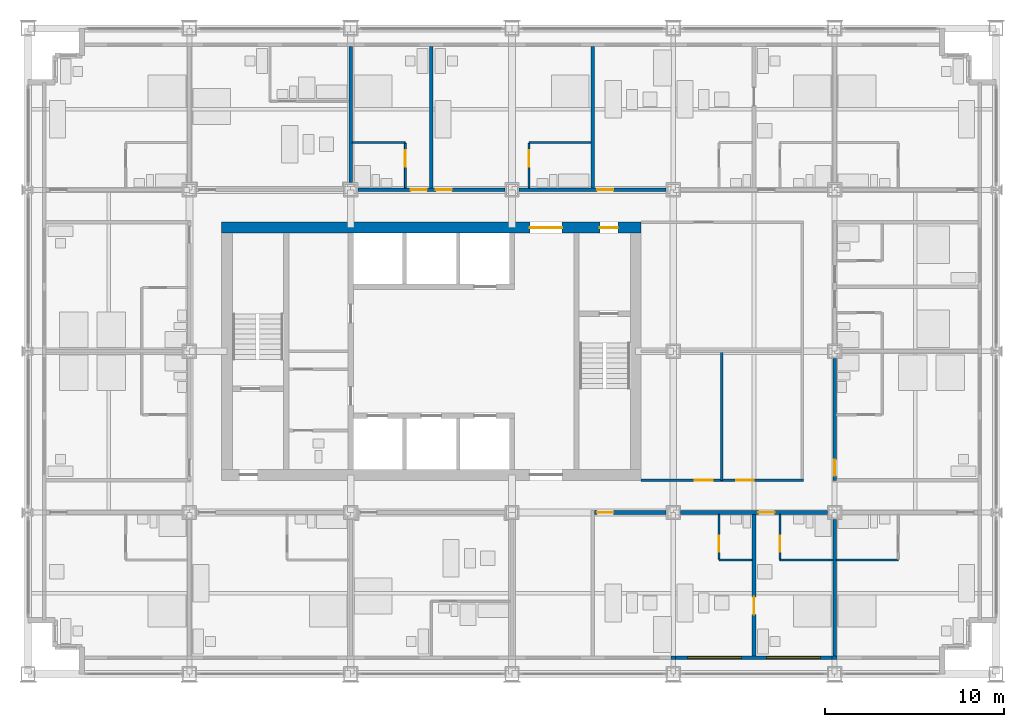
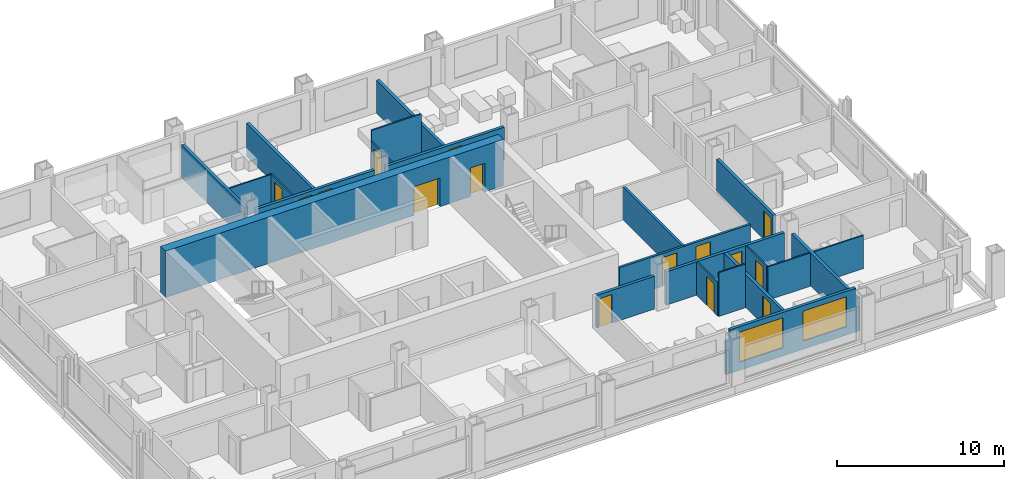
# One storey, part 12 of 18: 25 walls, 15 doors, 2 windows, 17 openings.
"""IFC4 building model written with IfcOpenShell, lengths in metres."""

from ifc_helpers import new_model, si_unit, direction, frame, frame_2d, origin, place, context, subcontext, project, spatial, rectangle, extrude, material, layer, layer_set, type_object, element, fill, save


model = new_model("IFC4")

# Units and contexts
model_context = context("Model", 3, precision=1e-05, world=origin(), true_north=direction((0.0, 1.0)))
body_context = subcontext(model_context, "Body", "Model", "MODEL_VIEW")
ifc_project = project(units=[si_unit("LENGTHUNIT", "METRE"), si_unit("AREAUNIT", "SQUARE_METRE"), si_unit("VOLUMEUNIT", "CUBIC_METRE"), si_unit("PLANEANGLEUNIT", "RADIAN"), si_unit("MASSUNIT", "GRAM", prefix="KILO")], contexts=[model_context])

# Site, building, storey
site_placement = place(None, origin())
site = spatial("IfcSite", under=ifc_project, at=site_placement, CompositionType="ELEMENT")
building_placement = place(site_placement, origin())
building = spatial("IfcBuilding", under=site, at=building_placement, Name="Loomwork Tower", CompositionType="ELEMENT")
storey_placement = place(building_placement, frame((0.0, 0.0, 79.0)))
storey = spatial("IfcBuildingStorey", under=building, at=storey_placement, Name="L20", CompositionType="ELEMENT", Elevation=79.0)

# Wall, openings, doors
ifc_material_1 = material(Name="Concrete 14000 psi (97 MPa)", Category="concrete")
ifc_layer_1 = layer(ifc_material_1, 0.60009765625)
ifc_layer_set_1 = layer_set([ifc_layer_1], Name="Core shear wall 600")
wall_type_1 = type_object("IfcWallType", Name="Core shear wall 600", PredefinedType="SHEAR", material=ifc_layer_set_1)
wall_1_placement = place(storey_placement, frame((10.800048828125, 24.89990234375, 0.0), z_axis=(0.0, 0.0, 1.0), x_axis=(1.0, 0.0, 0.0)))
wall_1 = element("IfcWall", 1, at=wall_1_placement, inside=storey, type_object=wall_type_1, Name="Core wall north L20", PredefinedType="SHEAR", context=body_context, shape_type="SweptSolid", body=[
    extrude(rectangle(XDim=23.39990234375, YDim=0.60009765625, at=frame_2d((11.699951171875, 0.0))), origin(), (0.0, 0.0, 1.0), 3.39990234375),
])
opening_1_placement = place(wall_1_placement, frame((17.199951171875, 0.0, 0.0)))
opening_1 = element("IfcOpeningElement", 2, at=opening_1_placement, cuts=wall_1, Name="Opening D6", PredefinedType="OPENING", context=body_context, shape_type="SweptSolid", body=[
    extrude(rectangle(XDim=1.800048828125, YDim=2.10009765625, at=frame_2d((0.89990234375, 1.050048828125))), frame((0.0, 0.31005859375, 0.0), z_axis=(0.0, -1.0, 0.0), x_axis=(1.0, 0.0, 0.0)), (0.0, 0.0, 1.0), 0.6201171875),
])
opening_2_placement = place(wall_1_placement, frame((21.10009765625, 0.0, 0.0)))
opening_2 = element("IfcOpeningElement", 3, at=opening_2_placement, cuts=wall_1, Name="Opening D4", PredefinedType="OPENING", context=body_context, shape_type="SweptSolid", body=[
    extrude(rectangle(XDim=1.0, YDim=2.10009765625, at=frame_2d((0.5, 1.050048828125))), frame((0.0, 0.31005859375, 0.0), z_axis=(0.0, -1.0, 0.0), x_axis=(1.0, 0.0, 0.0)), (0.0, 0.0, 1.0), 0.6201171875),
])
ifc_material_2 = material(Name="Hollow metal door and frame")
door_type_1 = type_object("IfcDoorType", Name="Lobby passage double door 1800", OperationType="DOUBLE_DOOR_SINGLE_SWING", PredefinedType="DOOR", material=ifc_material_2)
door_1_placement = place(opening_1_placement, frame((1.800048828125, 0.0, 0.0), z_axis=(0.0, 0.0, 1.0), x_axis=(-1.0, 0.0, 0.0)))
door_1 = element("IfcDoor", 4, at=door_1_placement, inside=storey, type_object=door_type_1, Name="Lobby passage door north", OperationType="DOUBLE_DOOR_SINGLE_SWING", OverallHeight=2.10009765625, OverallWidth=1.800048828125, PredefinedType="DOOR", context=body_context, shape_type="SweptSolid", body=[
    extrude(rectangle(XDim=1.800048828125, YDim=2.10009765625, at=frame_2d((0.89990234375, 1.050048828125))), frame((0.0, 0.02490234375, 0.0), z_axis=(0.0, -1.0, 0.0), x_axis=(1.0, 0.0, 0.0)), (0.0, 0.0, 1.0), 0.050048828125),
])
fill(opening_1, door_1)
ifc_material_3 = material(Name="Hollow metal door and frame")
door_type_2 = type_object("IfcDoorType", Name="Stair door 1000", OperationType="SINGLE_SWING_RIGHT", PredefinedType="DOOR", material=ifc_material_3)
door_2_placement = place(opening_2_placement, frame((1.0, 0.0, 0.0), z_axis=(0.0, 0.0, 1.0), x_axis=(-1.0, 0.0, 0.0)))
door_2 = element("IfcDoor", 5, at=door_2_placement, inside=storey, type_object=door_type_2, Name="Stair B vestibule door", OperationType="SINGLE_SWING_LEFT", OverallHeight=2.10009765625, OverallWidth=1.0, PredefinedType="DOOR", context=body_context, shape_type="SweptSolid", body=[
    extrude(rectangle(XDim=1.0, YDim=2.10009765625, at=frame_2d((0.5, 1.050048828125))), frame((0.0, 0.02490234375, 0.0), z_axis=(0.0, -1.0, 0.0), x_axis=(1.0, 0.0, 0.0)), (0.0, 0.0, 1.0), 0.050048828125),
])
fill(opening_2, door_2)

# Wall, opening, door
ifc_material_4 = material(Name="Gypsum board on steel studs, one-hour", Category="steel")
ifc_layer_2 = layer(ifc_material_4, 0.199951171875)
ifc_layer_set_2 = layer_set([ifc_layer_2], Name="Corridor wall 200")
wall_type_2 = type_object("IfcWallType", Name="Corridor wall 200", PredefinedType="PARTITIONING", material=ifc_layer_set_2)
wall_2_placement = place(storey_placement, frame((31.60009765625, 9.0, 0.0), z_axis=(0.0, 0.0, 1.0), x_axis=(1.0, 0.0, 0.0)))
wall_2 = element("IfcWall", 6, at=wall_2_placement, inside=storey, type_object=wall_type_2, Name="South corridor wall 4", PredefinedType="PARTITIONING", context=body_context, shape_type="SweptSolid", body=[
    extrude(rectangle(XDim=4.0, YDim=0.199951171875, at=frame_2d((2.0, 0.0))), origin(), (0.0, 0.0, 1.0), 2.405029296875),
])
opening_3_placement = place(wall_2_placement, frame((0.14990234375, 0.0, 0.0)))
opening_3 = element("IfcOpeningElement", 7, at=opening_3_placement, cuts=wall_2, Name="Opening D1", PredefinedType="OPENING", context=body_context, shape_type="SweptSolid", body=[
    extrude(rectangle(XDim=0.89990234375, YDim=2.10009765625, at=frame_2d((0.449951171875, 1.050048828125))), frame((0.0, 0.10986328125, 0.0), z_axis=(0.0, -1.0, 0.0), x_axis=(1.0, 0.0, 0.0)), (0.0, 0.0, 1.0), 0.219970703125),
])
ifc_material_5 = material(Name="Hollow metal door and frame")
door_type_3 = type_object("IfcDoorType", Name="Guest room entry door 900", OperationType="SINGLE_SWING_LEFT", PredefinedType="DOOR", material=ifc_material_5)
door_3_placement = place(opening_3_placement, frame((0.89990234375, 0.0, 0.0), z_axis=(0.0, 0.0, 1.0), x_axis=(-1.0, 0.0, 0.0)))
door_3 = element("IfcDoor", 8, at=door_3_placement, inside=storey, type_object=door_type_3, Name="Guest room entry door L20 4", OperationType="SINGLE_SWING_RIGHT", OverallHeight=2.10009765625, OverallWidth=0.89990234375, PredefinedType="DOOR", context=body_context, shape_type="SweptSolid", body=[
    extrude(rectangle(XDim=0.89990234375, YDim=2.10009765625, at=frame_2d((0.449951171875, 1.050048828125))), frame((0.0, 0.02490234375, 0.0), z_axis=(0.0, -1.0, 0.0), x_axis=(1.0, 0.0, 0.0)), (0.0, 0.0, 1.0), 0.050048828125),
])
fill(opening_3, door_3)

wall_3_placement = place(storey_placement, frame((36.39990234375, 9.0, 0.0), z_axis=(0.0, 0.0, 1.0), x_axis=(1.0, 0.0, 0.0)))
wall_3 = element("IfcWall", 9, at=wall_3_placement, inside=storey, type_object=wall_type_2, Name="South corridor wall 5", PredefinedType="PARTITIONING", context=body_context, shape_type="SweptSolid", body=[
    extrude(rectangle(XDim=8.2001953125, YDim=0.199951171875, at=frame_2d((4.10009765625, 0.0))), origin(), (0.0, 0.0, 1.0), 2.43798828125),
])
opening_4_placement = place(wall_3_placement, frame((4.35009765625, 0.0, 0.0)))
opening_4 = element("IfcOpeningElement", 10, at=opening_4_placement, cuts=wall_3, Name="Opening D1", PredefinedType="OPENING", context=body_context, shape_type="SweptSolid", body=[
    extrude(rectangle(XDim=0.89990234375, YDim=2.10009765625, at=frame_2d((0.449951171875, 1.050048828125))), frame((0.0, 0.10986328125, 0.0), z_axis=(0.0, -1.0, 0.0), x_axis=(1.0, 0.0, 0.0)), (0.0, 0.0, 1.0), 0.219970703125),
])
door_4_placement = place(opening_4_placement, frame((0.89990234375, 0.0, 0.0), z_axis=(0.0, 0.0, 1.0), x_axis=(-1.0, 0.0, 0.0)))
door_4 = element("IfcDoor", 11, at=door_4_placement, inside=storey, type_object=door_type_3, Name="Guest room entry door L20 5", OperationType="SINGLE_SWING_RIGHT", OverallHeight=2.10009765625, OverallWidth=0.89990234375, PredefinedType="DOOR", context=body_context, shape_type="SweptSolid", body=[
    extrude(rectangle(XDim=0.89990234375, YDim=2.10009765625, at=frame_2d((0.449951171875, 1.050048828125))), frame((0.0, 0.02490234375, 0.0), z_axis=(0.0, -1.0, 0.0), x_axis=(1.0, 0.0, 0.0)), (0.0, 0.0, 1.0), 0.050048828125),
])
fill(opening_4, door_4)

# Wall, openings, doors
wall_4_placement = place(storey_placement, frame((18.39990234375, 27.0, 0.0), z_axis=(0.0, 0.0, 1.0), x_axis=(1.0, 0.0, 0.0)))
wall_4 = element("IfcWall", 12, at=wall_4_placement, inside=storey, type_object=wall_type_2, Name="North corridor wall 3", PredefinedType="PARTITIONING", context=body_context, shape_type="SweptSolid", body=[
    extrude(rectangle(XDim=8.2001953125, YDim=0.199951171875, at=frame_2d((4.10009765625, 0.0))), origin(), (0.0, 0.0, 1.0), 2.405029296875),
])
opening_5_placement = place(wall_4_placement, frame((2.949951171875, 0.0, 0.0)))
opening_5 = element("IfcOpeningElement", 13, at=opening_5_placement, cuts=wall_4, Name="Opening D1", PredefinedType="OPENING", context=body_context, shape_type="SweptSolid", body=[
    extrude(rectangle(XDim=0.89990234375, YDim=2.10009765625, at=frame_2d((0.449951171875, 1.050048828125))), frame((0.0, 0.10986328125, 0.0), z_axis=(0.0, -1.0, 0.0), x_axis=(1.0, 0.0, 0.0)), (0.0, 0.0, 1.0), 0.219970703125),
])
opening_6_placement = place(wall_4_placement, frame((4.35009765625, 0.0, 0.0)))
opening_6 = element("IfcOpeningElement", 14, at=opening_6_placement, cuts=wall_4, Name="Opening D1", PredefinedType="OPENING", context=body_context, shape_type="SweptSolid", body=[
    extrude(rectangle(XDim=0.89990234375, YDim=2.10009765625, at=frame_2d((0.449951171875, 1.050048828125))), frame((0.0, 0.10986328125, 0.0), z_axis=(0.0, -1.0, 0.0), x_axis=(1.0, 0.0, 0.0)), (0.0, 0.0, 1.0), 0.219970703125),
])
door_5_placement = place(opening_5_placement, origin())
door_5 = element("IfcDoor", 15, at=door_5_placement, inside=storey, type_object=door_type_3, Name="Guest room entry door L20 9", OperationType="SINGLE_SWING_RIGHT", OverallHeight=2.10009765625, OverallWidth=0.89990234375, PredefinedType="DOOR", context=body_context, shape_type="SweptSolid", body=[
    extrude(rectangle(XDim=0.89990234375, YDim=2.10009765625, at=frame_2d((0.449951171875, 1.050048828125))), frame((0.0, 0.02490234375, 0.0), z_axis=(0.0, -1.0, 0.0), x_axis=(1.0, 0.0, 0.0)), (0.0, 0.0, 1.0), 0.050048828125),
])
fill(opening_5, door_5)
door_6_placement = place(opening_6_placement, origin())
door_6 = element("IfcDoor", 16, at=door_6_placement, inside=storey, type_object=door_type_3, Name="Guest room entry door L20 10", OperationType="SINGLE_SWING_LEFT", OverallHeight=2.10009765625, OverallWidth=0.89990234375, PredefinedType="DOOR", context=body_context, shape_type="SweptSolid", body=[
    extrude(rectangle(XDim=0.89990234375, YDim=2.10009765625, at=frame_2d((0.449951171875, 1.050048828125))), frame((0.0, 0.02490234375, 0.0), z_axis=(0.0, -1.0, 0.0), x_axis=(1.0, 0.0, 0.0)), (0.0, 0.0, 1.0), 0.050048828125),
])
fill(opening_6, door_6)

# Wall, opening, door
wall_5_placement = place(storey_placement, frame((27.39990234375, 27.0, 0.0), z_axis=(0.0, 0.0, 1.0), x_axis=(1.0, 0.0, 0.0)))
wall_5 = element("IfcWall", 17, at=wall_5_placement, inside=storey, type_object=wall_type_2, Name="North corridor wall 4", PredefinedType="PARTITIONING", context=body_context, shape_type="SweptSolid", body=[
    extrude(rectangle(XDim=8.2001953125, YDim=0.199951171875, at=frame_2d((4.10009765625, 0.0))), origin(), (0.0, 0.0, 1.0), 2.405029296875),
])
opening_7_placement = place(wall_5_placement, frame((4.35009765625, 0.0, 0.0)))
opening_7 = element("IfcOpeningElement", 18, at=opening_7_placement, cuts=wall_5, Name="Opening D1", PredefinedType="OPENING", context=body_context, shape_type="SweptSolid", body=[
    extrude(rectangle(XDim=0.89990234375, YDim=2.10009765625, at=frame_2d((0.449951171875, 1.050048828125))), frame((0.0, 0.10986328125, 0.0), z_axis=(0.0, -1.0, 0.0), x_axis=(1.0, 0.0, 0.0)), (0.0, 0.0, 1.0), 0.219970703125),
])
door_7_placement = place(opening_7_placement, origin())
door_7 = element("IfcDoor", 19, at=door_7_placement, inside=storey, type_object=door_type_3, Name="Guest room entry door L20 11", OperationType="SINGLE_SWING_LEFT", OverallHeight=2.10009765625, OverallWidth=0.89990234375, PredefinedType="DOOR", context=body_context, shape_type="SweptSolid", body=[
    extrude(rectangle(XDim=0.89990234375, YDim=2.10009765625, at=frame_2d((0.449951171875, 1.050048828125))), frame((0.0, 0.02490234375, 0.0), z_axis=(0.0, -1.0, 0.0), x_axis=(1.0, 0.0, 0.0)), (0.0, 0.0, 1.0), 0.050048828125),
])
fill(opening_7, door_7)

wall_6_placement = place(storey_placement, frame((45.0, 10.800048828125, 0.0), z_axis=(0.0, 0.0, 1.0), x_axis=(0.0, 1.0, 0.0)))
wall_6 = element("IfcWall", 20, at=wall_6_placement, inside=storey, type_object=wall_type_2, Name="East corridor wall 1", PredefinedType="PARTITIONING", context=body_context, shape_type="SweptSolid", body=[
    extrude(rectangle(XDim=6.800048828125, YDim=0.199951171875, at=frame_2d((3.39990234375, 0.0))), origin(), (0.0, 0.0, 1.0), 2.43798828125),
])
opening_8_placement = place(wall_6_placement, frame((0.25, 0.0, 0.0)))
opening_8 = element("IfcOpeningElement", 21, at=opening_8_placement, cuts=wall_6, Name="Opening D1", PredefinedType="OPENING", context=body_context, shape_type="SweptSolid", body=[
    extrude(rectangle(XDim=0.89990234375, YDim=2.10009765625, at=frame_2d((0.449951171875, 1.050048828125))), frame((0.0, 0.10986328125, 0.0), z_axis=(0.0, -1.0, 0.0), x_axis=(1.0, 0.0, 0.0)), (0.0, 0.0, 1.0), 0.219970703125),
])
door_8_placement = place(opening_8_placement, frame((0.89990234375, 0.0, 0.0), z_axis=(0.0, 0.0, 1.0), x_axis=(-1.0, 0.0, 0.0)))
door_8 = element("IfcDoor", 22, at=door_8_placement, inside=storey, type_object=door_type_3, Name="Guest room entry door L20 16", OperationType="SINGLE_SWING_RIGHT", OverallHeight=2.10009765625, OverallWidth=0.89990234375, PredefinedType="DOOR", context=body_context, shape_type="SweptSolid", body=[
    extrude(rectangle(XDim=0.89990234375, YDim=2.10009765625, at=frame_2d((0.449951171875, 1.050048828125))), frame((0.0, 0.02490234375, 0.0), z_axis=(0.0, -1.0, 0.0), x_axis=(1.0, 0.0, 0.0)), (0.0, 0.0, 1.0), 0.050048828125),
])
fill(opening_8, door_8)

# Wall
ifc_material_6 = material(Name="Cement board on steel studs", Category="steel")
ifc_layer_3 = layer(ifc_material_6, 0.10009765625)
ifc_layer_set_3 = layer_set([ifc_layer_3], Name="En-suite partition 100")
wall_type_3 = type_object("IfcWallType", Name="En-suite partition 100", PredefinedType="PARTITIONING", material=ifc_layer_set_3)
wall_7_placement = place(storey_placement, frame((38.550048828125, 6.35009765625, 0.0), z_axis=(0.0, 0.0, 1.0), x_axis=(1.0, 0.0, 0.0)))
element("IfcWall", 23, at=wall_7_placement, inside=storey, type_object=wall_type_3, Name="En-suite wall L20 room 4", PredefinedType="PARTITIONING", context=body_context, shape_type="SweptSolid", body=[
    extrude(rectangle(XDim=1.849853515625, YDim=0.10009765625, at=frame_2d((0.9248046875, 0.0))), origin(), (0.0, 0.0, 1.0), 3.199951171875),
])

# Wall, opening, door
wall_8_placement = place(storey_placement, frame((38.550048828125, 8.89990234375, 0.0), z_axis=(0.0, 0.0, 1.0), x_axis=(0.0, -1.0, 0.0)))
wall_8 = element("IfcWall", 24, at=wall_8_placement, inside=storey, type_object=wall_type_3, Name="En-suite side wall L20 room 4", PredefinedType="PARTITIONING", context=body_context, shape_type="SweptSolid", body=[
    extrude(rectangle(XDim=2.5, YDim=0.10009765625, at=frame_2d((1.25, 0.0))), origin(), (0.0, 0.0, 1.0), 2.43798828125),
])
opening_9_placement = place(wall_8_placement, frame((1.199951171875, 0.0, 0.0)))
opening_9 = element("IfcOpeningElement", 25, at=opening_9_placement, cuts=wall_8, Name="Opening D2", PredefinedType="OPENING", context=body_context, shape_type="SweptSolid", body=[
    extrude(rectangle(XDim=0.89990234375, YDim=2.10009765625, at=frame_2d((0.449951171875, 1.050048828125))), frame((0.0, 0.06005859375, 0.0), z_axis=(0.0, -1.0, 0.0), x_axis=(1.0, 0.0, 0.0)), (0.0, 0.0, 1.0), 0.1201171875),
])
ifc_material_7 = material(Name="Hollow metal door and frame")
door_type_4 = type_object("IfcDoorType", Name="En-suite door 900", OperationType="SINGLE_SWING_LEFT", PredefinedType="DOOR", material=ifc_material_7)
door_9_placement = place(opening_9_placement, origin())
door_9 = element("IfcDoor", 26, at=door_9_placement, inside=storey, type_object=door_type_4, Name="Suite powder room door room 4", OperationType="SINGLE_SWING_RIGHT", OverallHeight=2.10009765625, OverallWidth=0.89990234375, PredefinedType="DOOR", context=body_context, shape_type="SweptSolid", body=[
    extrude(rectangle(XDim=0.89990234375, YDim=2.10009765625, at=frame_2d((0.449951171875, 1.050048828125))), frame((0.0, 0.02490234375, 0.0), z_axis=(0.0, -1.0, 0.0), x_axis=(1.0, 0.0, 0.0)), (0.0, 0.0, 1.0), 0.050048828125),
])
fill(opening_9, door_9)

# Wall
wall_9_placement = place(storey_placement, frame((41.949951171875, 6.35009765625, 0.0), z_axis=(0.0, 0.0, 1.0), x_axis=(1.0, 0.0, 0.0)))
element("IfcWall", 27, at=wall_9_placement, inside=storey, type_object=wall_type_3, Name="En-suite wall L20 room 5", PredefinedType="PARTITIONING", context=body_context, shape_type="SweptSolid", body=[
    extrude(rectangle(XDim=2.949951171875, YDim=0.10009765625, at=frame_2d((1.47509765625, 0.0))), origin(), (0.0, 0.0, 1.0), 2.43798828125),
])

# Wall, opening, door
wall_10_placement = place(storey_placement, frame((41.949951171875, 8.89990234375, 0.0), z_axis=(0.0, 0.0, 1.0), x_axis=(0.0, -1.0, 0.0)))
wall_10 = element("IfcWall", 28, at=wall_10_placement, inside=storey, type_object=wall_type_3, Name="En-suite side wall L20 room 5", PredefinedType="PARTITIONING", context=body_context, shape_type="SweptSolid", body=[
    extrude(rectangle(XDim=2.5, YDim=0.10009765625, at=frame_2d((1.25, 0.0))), origin(), (0.0, 0.0, 1.0), 2.43798828125),
])
opening_10_placement = place(wall_10_placement, frame((1.199951171875, 0.0, 0.0)))
opening_10 = element("IfcOpeningElement", 29, at=opening_10_placement, cuts=wall_10, Name="Opening D2", PredefinedType="OPENING", context=body_context, shape_type="SweptSolid", body=[
    extrude(rectangle(XDim=0.89990234375, YDim=2.10009765625, at=frame_2d((0.449951171875, 1.050048828125))), frame((0.0, 0.06005859375, 0.0), z_axis=(0.0, -1.0, 0.0), x_axis=(1.0, 0.0, 0.0)), (0.0, 0.0, 1.0), 0.1201171875),
])
door_10_placement = place(opening_10_placement, origin())
door_10 = element("IfcDoor", 30, at=door_10_placement, inside=storey, type_object=door_type_4, Name="En-suite door room 5", OperationType="SINGLE_SWING_RIGHT", OverallHeight=2.10009765625, OverallWidth=0.89990234375, PredefinedType="DOOR", context=body_context, shape_type="SweptSolid", body=[
    extrude(rectangle(XDim=0.89990234375, YDim=2.10009765625, at=frame_2d((0.449951171875, 1.050048828125))), frame((0.0, 0.02490234375, 0.0), z_axis=(0.0, -1.0, 0.0), x_axis=(1.0, 0.0, 0.0)), (0.0, 0.0, 1.0), 0.050048828125),
])
fill(opening_10, door_10)

# Walls
wall_11_placement = place(storey_placement, frame((45.10009765625, 6.35009765625, 0.0), z_axis=(0.0, 0.0, 1.0), x_axis=(1.0, 0.0, 0.0)))
element("IfcWall", 31, at=wall_11_placement, inside=storey, type_object=wall_type_3, Name="En-suite wall L20 room 6", PredefinedType="PARTITIONING", context=body_context, shape_type="SweptSolid", body=[
    extrude(rectangle(XDim=3.449951171875, YDim=0.10009765625, at=frame_2d((1.72509765625, 0.0))), origin(), (0.0, 0.0, 1.0), 2.43798828125),
])
wall_12_placement = place(storey_placement, frame((18.10009765625, 29.64990234375, 0.0), z_axis=(0.0, 0.0, 1.0), x_axis=(1.0, 0.0, 0.0)))
element("IfcWall", 32, at=wall_12_placement, inside=storey, type_object=wall_type_3, Name="En-suite wall L20 room 9", PredefinedType="PARTITIONING", context=body_context, shape_type="SweptSolid", body=[
    extrude(rectangle(XDim=2.949951171875, YDim=0.10009765625, at=frame_2d((1.47509765625, 0.0))), origin(), (0.0, 0.0, 1.0), 2.404052734375),
])

# Wall, opening, door
wall_13_placement = place(storey_placement, frame((21.050048828125, 27.10009765625, 0.0), z_axis=(0.0, 0.0, 1.0), x_axis=(0.0, 1.0, 0.0)))
wall_13 = element("IfcWall", 33, at=wall_13_placement, inside=storey, type_object=wall_type_3, Name="En-suite side wall L20 room 9", PredefinedType="PARTITIONING", context=body_context, shape_type="SweptSolid", body=[
    extrude(rectangle(XDim=2.5, YDim=0.10009765625, at=frame_2d((1.25, 0.0))), origin(), (0.0, 0.0, 1.0), 2.404052734375),
])
opening_11_placement = place(wall_13_placement, frame((1.199951171875, 0.0, 0.0)))
opening_11 = element("IfcOpeningElement", 34, at=opening_11_placement, cuts=wall_13, Name="Opening D2", PredefinedType="OPENING", context=body_context, shape_type="SweptSolid", body=[
    extrude(rectangle(XDim=0.89990234375, YDim=2.10009765625, at=frame_2d((0.449951171875, 1.050048828125))), frame((0.0, 0.06005859375, 0.0), z_axis=(0.0, -1.0, 0.0), x_axis=(1.0, 0.0, 0.0)), (0.0, 0.0, 1.0), 0.1201171875),
])
door_11_placement = place(opening_11_placement, origin())
door_11 = element("IfcDoor", 35, at=door_11_placement, inside=storey, type_object=door_type_4, Name="En-suite door room 9", OperationType="SINGLE_SWING_RIGHT", OverallHeight=2.10009765625, OverallWidth=0.89990234375, PredefinedType="DOOR", context=body_context, shape_type="SweptSolid", body=[
    extrude(rectangle(XDim=0.89990234375, YDim=2.10009765625, at=frame_2d((0.449951171875, 1.050048828125))), frame((0.0, 0.02490234375, 0.0), z_axis=(0.0, -1.0, 0.0), x_axis=(1.0, 0.0, 0.0)), (0.0, 0.0, 1.0), 0.050048828125),
])
fill(opening_11, door_11)

# Wall
wall_14_placement = place(storey_placement, frame((27.949951171875, 29.64990234375, 0.0), z_axis=(0.0, 0.0, 1.0), x_axis=(1.0, 0.0, 0.0)))
element("IfcWall", 36, at=wall_14_placement, inside=storey, type_object=wall_type_3, Name="En-suite wall L20 room 10", PredefinedType="PARTITIONING", context=body_context, shape_type="SweptSolid", body=[
    extrude(rectangle(XDim=3.449951171875, YDim=0.10009765625, at=frame_2d((1.72509765625, 0.0))), origin(), (0.0, 0.0, 1.0), 3.199951171875),
])

# Wall, opening, door
wall_15_placement = place(storey_placement, frame((27.949951171875, 27.10009765625, 0.0), z_axis=(0.0, 0.0, 1.0), x_axis=(0.0, 1.0, 0.0)))
wall_15 = element("IfcWall", 37, at=wall_15_placement, inside=storey, type_object=wall_type_3, Name="En-suite side wall L20 room 10", PredefinedType="PARTITIONING", context=body_context, shape_type="SweptSolid", body=[
    extrude(rectangle(XDim=2.5, YDim=0.10009765625, at=frame_2d((1.25, 0.0))), origin(), (0.0, 0.0, 1.0), 2.404052734375),
])
opening_12_placement = place(wall_15_placement, frame((1.199951171875, 0.0, 0.0)))
opening_12 = element("IfcOpeningElement", 38, at=opening_12_placement, cuts=wall_15, Name="Opening D2", PredefinedType="OPENING", context=body_context, shape_type="SweptSolid", body=[
    extrude(rectangle(XDim=0.89990234375, YDim=2.10009765625, at=frame_2d((0.449951171875, 1.050048828125))), frame((0.0, 0.06005859375, 0.0), z_axis=(0.0, -1.0, 0.0), x_axis=(1.0, 0.0, 0.0)), (0.0, 0.0, 1.0), 0.1201171875),
])
door_12_placement = place(opening_12_placement, frame((0.89990234375, 0.0, 0.0), z_axis=(0.0, 0.0, 1.0), x_axis=(-1.0, 0.0, 0.0)))
door_12 = element("IfcDoor", 39, at=door_12_placement, inside=storey, type_object=door_type_4, Name="En-suite door room 10", OperationType="SINGLE_SWING_LEFT", OverallHeight=2.10009765625, OverallWidth=0.89990234375, PredefinedType="DOOR", context=body_context, shape_type="SweptSolid", body=[
    extrude(rectangle(XDim=0.89990234375, YDim=2.10009765625, at=frame_2d((0.449951171875, 1.050048828125))), frame((0.0, 0.02490234375, 0.0), z_axis=(0.0, -1.0, 0.0), x_axis=(1.0, 0.0, 0.0)), (0.0, 0.0, 1.0), 0.050048828125),
])
fill(opening_12, door_12)

ifc_material_8 = material(Name="Gypsum board on steel studs, acoustic", Category="steel")
ifc_layer_4 = layer(ifc_material_8, 0.199951171875)
ifc_layer_set_4 = layer_set([ifc_layer_4], Name="Guest room party wall 200")
wall_type_4 = type_object("IfcWallType", Name="Guest room party wall 200", PredefinedType="PARTITIONING", material=ifc_layer_set_4)
wall_16_placement = place(storey_placement, frame((40.5, 8.89990234375, 0.0), z_axis=(0.0, 0.0, 1.0), x_axis=(0.0, -1.0, 0.0)))
wall_16 = element("IfcWall", 40, at=wall_16_placement, inside=storey, type_object=wall_type_4, Name="Guest room party wall S 40.5", PredefinedType="PARTITIONING", context=body_context, shape_type="SweptSolid", body=[
    extrude(rectangle(XDim=7.89990234375, YDim=0.199951171875, at=frame_2d((3.949951171875, 0.0))), origin(), (0.0, 0.0, 1.0), 2.43798828125),
])
opening_13_placement = place(wall_16_placement, frame((4.60009765625, 0.0, 0.0)))
opening_13 = element("IfcOpeningElement", 41, at=opening_13_placement, cuts=wall_16, Name="Opening D7", PredefinedType="OPENING", context=body_context, shape_type="SweptSolid", body=[
    extrude(rectangle(XDim=1.0, YDim=2.10009765625, at=frame_2d((0.5, 1.050048828125))), frame((0.0, 0.10986328125, 0.0), z_axis=(0.0, -1.0, 0.0), x_axis=(1.0, 0.0, 0.0)), (0.0, 0.0, 1.0), 0.219970703125),
])
ifc_material_9 = material(Name="Hollow metal door and frame")
door_type_5 = type_object("IfcDoorType", Name="Room door 1000", OperationType="SINGLE_SWING_LEFT", PredefinedType="DOOR", material=ifc_material_9)
door_13_placement = place(opening_13_placement, origin())
door_13 = element("IfcDoor", 42, at=door_13_placement, inside=storey, type_object=door_type_5, Name="Suite connecting door L20 S 40.5", OperationType="SINGLE_SWING_LEFT", OverallHeight=2.10009765625, OverallWidth=1.0, PredefinedType="DOOR", context=body_context, shape_type="SweptSolid", body=[
    extrude(rectangle(XDim=1.0, YDim=2.10009765625, at=frame_2d((0.5, 1.050048828125))), frame((0.0, 0.02490234375, 0.0), z_axis=(0.0, -1.0, 0.0), x_axis=(1.0, 0.0, 0.0)), (0.0, 0.0, 1.0), 0.050048828125),
])
fill(opening_13, door_13)

# Walls
wall_17_placement = place(storey_placement, frame((45.0, 8.60009765625, 0.0), z_axis=(0.0, 0.0, 1.0), x_axis=(0.0, -1.0, 0.0)))
element("IfcWall", 43, at=wall_17_placement, inside=storey, type_object=wall_type_4, Name="Guest room party wall S 45", PredefinedType="PARTITIONING", context=body_context, shape_type="SweptSolid", body=[
    extrude(rectangle(XDim=7.60009765625, YDim=0.199951171875, at=frame_2d((3.800048828125, 0.0))), origin(), (0.0, 0.0, 1.0), 2.43798828125),
])
wall_18_placement = place(storey_placement, frame((18.0, 27.39990234375, 0.0), z_axis=(0.0, 0.0, 1.0), x_axis=(0.0, 1.0, 0.0)))
element("IfcWall", 44, at=wall_18_placement, inside=storey, type_object=wall_type_4, Name="Guest room party wall N 18", PredefinedType="PARTITIONING", context=body_context, shape_type="SweptSolid", body=[
    extrude(rectangle(XDim=7.60009765625, YDim=0.199951171875, at=frame_2d((3.800048828125, 0.0))), origin(), (0.0, 0.0, 1.0), 2.405029296875),
])
for number, where, z_axis, x_axis, name in (
    (45, (22.5, 27.10009765625, 0.0), (0.0, 0.0, 1.0), (0.0, 1.0, 0.0), "Guest room party wall N 22.5"),
    (46, (31.5, 27.10009765625, 0.0), (0.0, 0.0, 1.0), (0.0, 1.0, 0.0), "Guest room party wall N 31.5"),
):
    element("IfcWall", number, at=place(storey_placement, frame(where, z_axis=z_axis, x_axis=x_axis)), inside=storey, type_object=wall_type_4, Name=name, PredefinedType="PARTITIONING", context=body_context, shape_type="SweptSolid", body=[
        extrude(rectangle(XDim=7.89990234375, YDim=0.199951171875, at=frame_2d((3.949951171875, 0.0))), origin(), (0.0, 0.0, 1.0), 2.404052734375),
    ])
ifc_material_10 = material(Name="Insulated steel stud wall with gypsum lining", Category="steel")
ifc_layer_5 = layer(ifc_material_10, 0.199951171875)
ifc_layer_set_5 = layer_set([ifc_layer_5], Name="Inner skin wall 200")
wall_type_5 = type_object("IfcWallType", Name="Inner skin wall 200", PredefinedType="SOLIDWALL", material=ifc_layer_set_5)
wall_19_placement = place(storey_placement, frame((35.864501953125, 0.89990234375, 0.0), z_axis=(0.0, 0.0, 1.0), x_axis=(1.0, 0.0, 0.0)))
element("IfcWall", 47, at=wall_19_placement, inside=storey, type_object=wall_type_5, Name="Inner skin wall S bay 8", PredefinedType="SOLIDWALL", context=body_context, shape_type="SweptSolid", body=[
    extrude(rectangle(XDim=0.27099609375, YDim=0.199951171875, at=frame_2d((0.135498046875, 0.0))), origin(), (0.0, 0.0, 1.0), 2.43798828125),
])

# Wall, openings, windows
wall_20_placement = place(storey_placement, frame((36.135498046875, 0.89990234375, 0.0), z_axis=(0.0, 0.0, 1.0), x_axis=(1.0, 0.0, 0.0)))
wall_20 = element("IfcWall", 48, at=wall_20_placement, inside=storey, type_object=wall_type_5, Name="Inner skin wall S bay 9", PredefinedType="SOLIDWALL", context=body_context, shape_type="SweptSolid", body=[
    extrude(rectangle(XDim=8.72900390625, YDim=0.199951171875, at=frame_2d((4.364501953125, 0.0))), origin(), (0.0, 0.0, 1.0), 3.199951171875),
])
opening_14_placement = place(wall_20_placement, frame((0.66455078125, 0.0, 0.60009765625)))
opening_14 = element("IfcOpeningElement", 49, at=opening_14_placement, cuts=wall_20, Name="Opening CH1", PredefinedType="OPENING", context=body_context, shape_type="SweptSolid", body=[
    extrude(rectangle(XDim=3.0, YDim=2.199951171875, at=frame_2d((1.5, 1.10009765625))), frame((0.0, 0.10986328125, 0.0), z_axis=(0.0, -1.0, 0.0), x_axis=(1.0, 0.0, 0.0)), (0.0, 0.0, 1.0), 0.219970703125),
])
opening_15_placement = place(wall_20_placement, frame((5.064697265625, 0.0, 0.60009765625)))
opening_15 = element("IfcOpeningElement", 50, at=opening_15_placement, cuts=wall_20, Name="Opening CH1", PredefinedType="OPENING", context=body_context, shape_type="SweptSolid", body=[
    extrude(rectangle(XDim=3.0, YDim=2.199951171875, at=frame_2d((1.5, 1.10009765625))), frame((0.0, 0.10986328125, 0.0), z_axis=(0.0, -1.0, 0.0), x_axis=(1.0, 0.0, 0.0)), (0.0, 0.0, 1.0), 0.219970703125),
])
ifc_material_11 = material(Name="Aluminium frame with clear insulated glass", Category="aluminium")
window_type = type_object("IfcWindowType", Name="Chicago window 3000", PartitioningType="TRIPLE_PANEL_VERTICAL", PredefinedType="WINDOW", material=ifc_material_11)
window_1_placement = place(opening_14_placement, origin())
window_1 = element("IfcWindow", 51, at=window_1_placement, inside=storey, type_object=window_type, Name="Chicago window L20 bay 5", OverallHeight=2.199951171875, OverallWidth=3.0, PartitioningType="TRIPLE_PANEL_VERTICAL", PredefinedType="WINDOW", context=body_context, shape_type="SweptSolid", body=[
    extrude(rectangle(XDim=3.0, YDim=2.199951171875, at=frame_2d((1.5, 1.10009765625))), frame((0.0, 0.030029296875, 0.0), z_axis=(0.0, -1.0, 0.0), x_axis=(1.0, 0.0, 0.0)), (0.0, 0.0, 1.0), 0.06005859375),
])
fill(opening_14, window_1)
window_2_placement = place(opening_15_placement, origin())
window_2 = element("IfcWindow", 52, at=window_2_placement, inside=storey, type_object=window_type, Name="Chicago window L20 bay 5", OverallHeight=2.199951171875, OverallWidth=3.0, PartitioningType="TRIPLE_PANEL_VERTICAL", PredefinedType="WINDOW", context=body_context, shape_type="SweptSolid", body=[
    extrude(rectangle(XDim=3.0, YDim=2.199951171875, at=frame_2d((1.5, 1.10009765625))), frame((0.0, 0.030029296875, 0.0), z_axis=(0.0, -1.0, 0.0), x_axis=(1.0, 0.0, 0.0)), (0.0, 0.0, 1.0), 0.06005859375),
])
fill(opening_15, window_2)

# Wall
wall_21_placement = place(storey_placement, frame((44.864501953125, 0.89990234375, 0.0), z_axis=(0.0, 0.0, 1.0), x_axis=(1.0, 0.0, 0.0)))
element("IfcWall", 53, at=wall_21_placement, inside=storey, type_object=wall_type_5, Name="Inner skin wall S bay 10", PredefinedType="SOLIDWALL", context=body_context, shape_type="SweptSolid", body=[
    extrude(rectangle(XDim=0.27099609375, YDim=0.199951171875, at=frame_2d((0.135498046875, 0.0))), origin(), (0.0, 0.0, 1.0), 2.43798828125),
])

# Wall, openings, doors
ifc_material_12 = material(Name="Gypsum board on steel studs, one-hour", Category="steel")
ifc_layer_6 = layer(ifc_material_12, 0.14990234375)
ifc_layer_set_6 = layer_set([ifc_layer_6], Name="Service partition 150")
wall_type_6 = type_object("IfcWallType", Name="Service partition 150", PredefinedType="PARTITIONING", material=ifc_layer_set_6)
wall_22_placement = place(storey_placement, frame((34.199951171875, 10.800048828125, 0.0), z_axis=(0.0, 0.0, 1.0), x_axis=(1.0, 0.0, 0.0)))
wall_22 = element("IfcWall", 54, at=wall_22_placement, inside=storey, type_object=wall_type_6, Name="Service block wall S", PredefinedType="PARTITIONING", context=body_context, shape_type="SweptSolid", body=[
    extrude(rectangle(XDim=9.074951171875, YDim=0.14990234375, at=frame_2d((4.53759765625, 0.0))), origin(), (0.0, 0.0, 1.0), 2.404052734375),
])
opening_16_placement = place(wall_22_placement, frame((5.300048828125, 0.0, 0.0)))
opening_16 = element("IfcOpeningElement", 55, at=opening_16_placement, cuts=wall_22, Name="Opening D5", PredefinedType="OPENING", context=body_context, shape_type="SweptSolid", body=[
    extrude(rectangle(XDim=1.0, YDim=2.10009765625, at=frame_2d((0.5, 1.050048828125))), frame((0.0, 0.0849609375, 0.0), z_axis=(0.0, -1.0, 0.0), x_axis=(1.0, 0.0, 0.0)), (0.0, 0.0, 1.0), 0.169921875),
])
opening_17_placement = place(wall_22_placement, frame((3.0, 0.0, 0.0)))
opening_17 = element("IfcOpeningElement", 56, at=opening_17_placement, cuts=wall_22, Name="Opening D5", PredefinedType="OPENING", context=body_context, shape_type="SweptSolid", body=[
    extrude(rectangle(XDim=1.0, YDim=2.10009765625, at=frame_2d((0.5, 1.050048828125))), frame((0.0, 0.0849609375, 0.0), z_axis=(0.0, -1.0, 0.0), x_axis=(1.0, 0.0, 0.0)), (0.0, 0.0, 1.0), 0.169921875),
])
ifc_material_13 = material(Name="Hollow metal door and frame")
door_type_6 = type_object("IfcDoorType", Name="Service door 1000", OperationType="SINGLE_SWING_LEFT", PredefinedType="DOOR", material=ifc_material_13)
door_14_placement = place(opening_16_placement, origin())
door_14 = element("IfcDoor", 57, at=door_14_placement, inside=storey, type_object=door_type_6, Name="Linen store door", OperationType="SINGLE_SWING_LEFT", OverallHeight=2.10009765625, OverallWidth=1.0, PredefinedType="DOOR", context=body_context, shape_type="SweptSolid", body=[
    extrude(rectangle(XDim=1.0, YDim=2.10009765625, at=frame_2d((0.5, 1.050048828125))), frame((0.0, 0.02490234375, 0.0), z_axis=(0.0, -1.0, 0.0), x_axis=(1.0, 0.0, 0.0)), (0.0, 0.0, 1.0), 0.050048828125),
])
fill(opening_16, door_14)
door_15_placement = place(opening_17_placement, origin())
door_15 = element("IfcDoor", 58, at=door_15_placement, inside=storey, type_object=door_type_6, Name="Housekeeping store door", OperationType="SINGLE_SWING_RIGHT", OverallHeight=2.10009765625, OverallWidth=1.0, PredefinedType="DOOR", context=body_context, shape_type="SweptSolid", body=[
    extrude(rectangle(XDim=1.0, YDim=2.10009765625, at=frame_2d((0.5, 1.050048828125))), frame((0.0, 0.02490234375, 0.0), z_axis=(0.0, -1.0, 0.0), x_axis=(1.0, 0.0, 0.0)), (0.0, 0.0, 1.0), 0.050048828125),
])
fill(opening_17, door_15)

# Wall
wall_23_placement = place(storey_placement, frame((38.699951171875, 10.800048828125, 0.0), z_axis=(0.0, 0.0, 1.0), x_axis=(0.0, 1.0, 0.0)))
element("IfcWall", 59, at=wall_23_placement, inside=storey, type_object=wall_type_6, Name="Housekeeping partition L20", PredefinedType="PARTITIONING", context=body_context, shape_type="SweptSolid", body=[
    extrude(rectangle(XDim=7.199951171875, YDim=0.14990234375, at=frame_2d((3.60009765625, 0.0))), origin(), (0.0, 0.0, 1.0), 2.404052734375),
])

save(model, "model.ifc")
